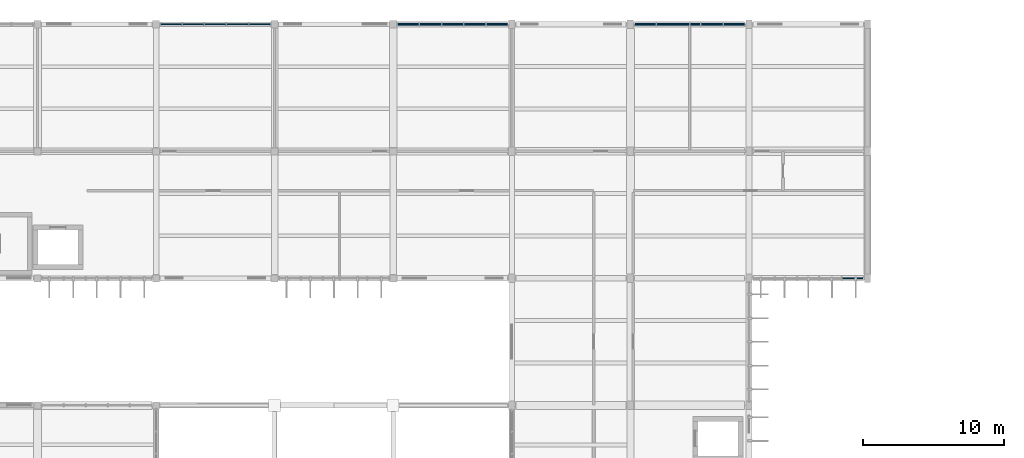
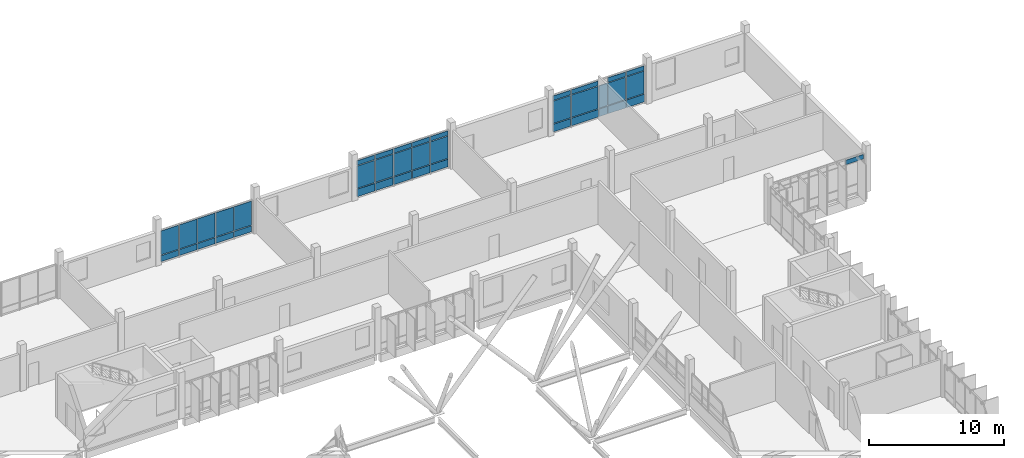
# One storey, part 79 of 107: 40 plates, 4 elements without a shape of their own.
"""IFC4 building model written with IfcOpenShell, lengths in metres."""

from ifc_helpers import new_model, si_unit, direction, frame, origin, origin_2d, place, context, subcontext, project, spatial, rectangle, extrude, material, layer, layer_set, type_object, element, aggregate, save


model = new_model("IFC4")

# Units and contexts
model_context = context("Model", 3, precision=1e-05, world=origin(), true_north=direction((0.0, 1.0)))
body_context = subcontext(model_context, "Body", "Model", "MODEL_VIEW")
ifc_project = project(units=[si_unit("LENGTHUNIT", "METRE"), si_unit("AREAUNIT", "SQUARE_METRE"), si_unit("VOLUMEUNIT", "CUBIC_METRE"), si_unit("PLANEANGLEUNIT", "RADIAN"), si_unit("MASSUNIT", "GRAM", prefix="KILO")], contexts=[model_context])

# Site, building, storey
site_placement = place(None, origin())
site = spatial("IfcSite", under=ifc_project, at=site_placement, CompositionType="ELEMENT")
building_placement = place(site_placement, origin())
building = spatial("IfcBuilding", under=site, at=building_placement, Name="Vireocrest Preparatory School", CompositionType="ELEMENT")
storey_placement = place(building_placement, frame((0.0, 0.0, 13.199951171875)))
storey = spatial("IfcBuildingStorey", under=building, at=storey_placement, Name="L03", CompositionType="ELEMENT", Elevation=13.199951171875)

# Curtain wall, plate
ifc_material_1 = material(Name="Thermally broken aluminium EN AW-6063-T6", Category="aluminium")
ifc_layer_1 = layer(ifc_material_1, 0.179931640625)
ifc_layer_set_1 = layer_set([ifc_layer_1], Name="Thermally broken aluminium EN AW-6063-T6")
curtain_wall_type_1 = type_object("IfcCurtainWallType", Name="Stair Core Daylit Strip 4200x4200", PredefinedType="USERDEFINED", material=ifc_layer_set_1)
curtain_wall_1_placement = place(storey_placement, origin())
curtain_wall_1 = element("IfcCurtainWall", 1, at=curtain_wall_1_placement, inside=storey, type_object=curtain_wall_type_1, Name="Curtain Wall CW18 CW_L03_CW18_1094_0948_132", ObjectType="CURTAIN WALL", PredefinedType="USERDEFINED")
ifc_material_2 = material(Name="Insulated triple low-e tempered safety glass", Category="glass")
ifc_layer_2 = layer(ifc_material_2, 0.074951171875)
ifc_layer_set_2 = layer_set([ifc_layer_2], Name="Insulated triple low-e tempered safety glass")
plate_type_1 = type_object("IfcPlateType", Name="Acoustic Triple-Glazed Lab Curtain Panel 75", PredefinedType="CURTAIN_PANEL", material=ifc_layer_set_2)
plate_1_placement = place(storey_placement, frame((116.552001953125, 94.800048828125, 2.91259765625), z_axis=(0.0, 0.0, 1.0), x_axis=(1.0, 0.0, 0.0)))
plate_1 = element("IfcPlate", 2, at=plate_1_placement, type_object=plate_type_1, Name="CW Panel GL2 CW_L03_CW18_1094_0948_132-5-3", PredefinedType="CURTAIN_PANEL", context=body_context, shape_type="SweptSolid", body=[
    extrude(rectangle(XDim=1.510986328125, YDim=0.074951171875, at=origin_2d()), origin(), (0.0, 0.0, 1.0), 0.409912109375),
])
aggregate(curtain_wall_1, [plate_1])

# Curtain wall, plates
ifc_layer_3 = layer(ifc_material_1, 0.179931640625)
ifc_layer_set_3 = layer_set([ifc_layer_3], Name="Thermally broken aluminium EN AW-6063-T6")
curtain_wall_type_2 = type_object("IfcCurtainWallType", Name="North Street Curtain Wall 8400x4000", PredefinedType="USERDEFINED", material=ifc_layer_set_3)
curtain_wall_2_placement = place(storey_placement, origin())
curtain_wall_2 = element("IfcCurtainWall", 3, at=curtain_wall_2_placement, inside=storey, type_object=curtain_wall_type_2, Name="Curtain Wall CW05 CW_L03_CW05_0674_1128_132", ObjectType="CURTAIN WALL", PredefinedType="USERDEFINED")
plate_2_placement = place(storey_placement, frame((68.26806640625, 112.800048828125, 0.12744140625), z_axis=(0.0, 0.0, 1.0), x_axis=(1.0, 0.0, 0.0)))
plate_2 = element("IfcPlate", 4, at=plate_2_placement, type_object=plate_type_1, Name="CW Panel GL2 CW_L03_CW05_0674_1128_132-1-1", PredefinedType="CURTAIN_PANEL", context=body_context, shape_type="SweptSolid", body=[
    extrude(rectangle(XDim=1.5009765625, YDim=0.074951171875, at=origin_2d()), origin(), (0.0, 0.0, 1.0), 0.5400390625),
])
plate_3_placement = place(storey_placement, frame((68.26806640625, 112.800048828125, 0.732666015625), z_axis=(0.0, 0.0, 1.0), x_axis=(1.0, 0.0, 0.0)))
plate_3 = element("IfcPlate", 5, at=plate_3_placement, type_object=plate_type_1, Name="CW Panel GL2 CW_L03_CW05_0674_1128_132-1-2", PredefinedType="CURTAIN_PANEL", context=body_context, shape_type="SweptSolid", body=[
    extrude(rectangle(XDim=1.5009765625, YDim=0.074951171875, at=origin_2d()), origin(), (0.0, 0.0, 1.0), 2.169921875),
])
plate_4_placement = place(storey_placement, frame((69.833984375, 112.800048828125, 0.12744140625), z_axis=(0.0, 0.0, 1.0), x_axis=(1.0, 0.0, 0.0)))
plate_4 = element("IfcPlate", 6, at=plate_4_placement, type_object=plate_type_1, Name="CW Panel GL2 CW_L03_CW05_0674_1128_132-2-1", PredefinedType="CURTAIN_PANEL", context=body_context, shape_type="SweptSolid", body=[
    extrude(rectangle(XDim=1.5009765625, YDim=0.074951171875, at=origin_2d()), origin(), (0.0, 0.0, 1.0), 0.5400390625),
])
plate_5_placement = place(storey_placement, frame((69.833984375, 112.800048828125, 0.732666015625), z_axis=(0.0, 0.0, 1.0), x_axis=(1.0, 0.0, 0.0)))
plate_5 = element("IfcPlate", 7, at=plate_5_placement, type_object=plate_type_1, Name="CW Panel GL2 CW_L03_CW05_0674_1128_132-2-2", PredefinedType="CURTAIN_PANEL", context=body_context, shape_type="SweptSolid", body=[
    extrude(rectangle(XDim=1.5009765625, YDim=0.074951171875, at=origin_2d()), origin(), (0.0, 0.0, 1.0), 2.169921875),
])
plate_6_placement = place(storey_placement, frame((71.39990234375, 112.800048828125, 0.12744140625), z_axis=(0.0, 0.0, 1.0), x_axis=(1.0, 0.0, 0.0)))
plate_6 = element("IfcPlate", 8, at=plate_6_placement, type_object=plate_type_1, Name="CW Panel GL2 CW_L03_CW05_0674_1128_132-3-1", PredefinedType="CURTAIN_PANEL", context=body_context, shape_type="SweptSolid", body=[
    extrude(rectangle(XDim=1.5009765625, YDim=0.074951171875, at=origin_2d()), origin(), (0.0, 0.0, 1.0), 0.5400390625),
])
plate_7_placement = place(storey_placement, frame((71.39990234375, 112.800048828125, 0.732666015625), z_axis=(0.0, 0.0, 1.0), x_axis=(1.0, 0.0, 0.0)))
plate_7 = element("IfcPlate", 9, at=plate_7_placement, type_object=plate_type_1, Name="CW Panel GL2 CW_L03_CW05_0674_1128_132-3-2", PredefinedType="CURTAIN_PANEL", context=body_context, shape_type="SweptSolid", body=[
    extrude(rectangle(XDim=1.5009765625, YDim=0.074951171875, at=origin_2d()), origin(), (0.0, 0.0, 1.0), 2.169921875),
])
plate_8_placement = place(storey_placement, frame((72.966064453125, 112.800048828125, 0.12744140625), z_axis=(0.0, 0.0, 1.0), x_axis=(1.0, 0.0, 0.0)))
plate_8 = element("IfcPlate", 10, at=plate_8_placement, type_object=plate_type_1, Name="CW Panel GL2 CW_L03_CW05_0674_1128_132-4-1", PredefinedType="CURTAIN_PANEL", context=body_context, shape_type="SweptSolid", body=[
    extrude(rectangle(XDim=1.5009765625, YDim=0.074951171875, at=origin_2d()), origin(), (0.0, 0.0, 1.0), 0.5400390625),
])
plate_9_placement = place(storey_placement, frame((72.966064453125, 112.800048828125, 0.732666015625), z_axis=(0.0, 0.0, 1.0), x_axis=(1.0, 0.0, 0.0)))
plate_9 = element("IfcPlate", 11, at=plate_9_placement, type_object=plate_type_1, Name="CW Panel GL2 CW_L03_CW05_0674_1128_132-4-2", PredefinedType="CURTAIN_PANEL", context=body_context, shape_type="SweptSolid", body=[
    extrude(rectangle(XDim=1.5009765625, YDim=0.074951171875, at=origin_2d()), origin(), (0.0, 0.0, 1.0), 2.169921875),
])
plate_10_placement = place(storey_placement, frame((74.531982421875, 112.800048828125, 0.12744140625), z_axis=(0.0, 0.0, 1.0), x_axis=(1.0, 0.0, 0.0)))
plate_10 = element("IfcPlate", 12, at=plate_10_placement, type_object=plate_type_1, Name="CW Panel GL2 CW_L03_CW05_0674_1128_132-5-1", PredefinedType="CURTAIN_PANEL", context=body_context, shape_type="SweptSolid", body=[
    extrude(rectangle(XDim=1.5009765625, YDim=0.074951171875, at=origin_2d()), origin(), (0.0, 0.0, 1.0), 0.5400390625),
])
plate_11_placement = place(storey_placement, frame((74.531982421875, 112.800048828125, 0.732666015625), z_axis=(0.0, 0.0, 1.0), x_axis=(1.0, 0.0, 0.0)))
plate_11 = element("IfcPlate", 13, at=plate_11_placement, type_object=plate_type_1, Name="CW Panel GL2 CW_L03_CW05_0674_1128_132-5-2", PredefinedType="CURTAIN_PANEL", context=body_context, shape_type="SweptSolid", body=[
    extrude(rectangle(XDim=1.5009765625, YDim=0.074951171875, at=origin_2d()), origin(), (0.0, 0.0, 1.0), 2.169921875),
])
aggregate(curtain_wall_2, [plate_2, plate_3, plate_4, plate_5, plate_6, plate_7, plate_8, plate_9, plate_10, plate_11])

curtain_wall_3_placement = place(storey_placement, origin())
curtain_wall_3 = element("IfcCurtainWall", 14, at=curtain_wall_3_placement, inside=storey, type_object=curtain_wall_type_2, Name="Curtain Wall CW05 CW_L03_CW05_0842_1128_132", ObjectType="CURTAIN WALL", PredefinedType="USERDEFINED")
plate_12_placement = place(storey_placement, frame((85.070556640625, 112.800048828125, 0.8828125), z_axis=(0.0, 0.0, 1.0), x_axis=(1.0, 0.0, 0.0)))
plate_12 = element("IfcPlate", 15, at=plate_12_placement, type_object=plate_type_1, Name="CW Panel GL2 CW_L03_CW05_0842_1128_132-1-2", PredefinedType="CURTAIN_PANEL", context=body_context, shape_type="SweptSolid", body=[
    extrude(rectangle(XDim=1.506103515625, YDim=0.074951171875, at=origin_2d()), origin(), (0.0, 0.0, 1.0), 2.014892578125),
])
plate_13_placement = place(storey_placement, frame((85.070556640625, 112.800048828125, 2.96240234375), z_axis=(0.0, 0.0, 1.0), x_axis=(1.0, 0.0, 0.0)))
plate_13 = element("IfcPlate", 16, at=plate_13_placement, type_object=plate_type_1, Name="CW Panel GL2 CW_L03_CW05_0842_1128_132-1-3", PredefinedType="CURTAIN_PANEL", context=body_context, shape_type="SweptSolid", body=[
    extrude(rectangle(XDim=1.506103515625, YDim=0.074951171875, at=origin_2d()), origin(), (0.0, 0.0, 1.0), 0.409912109375),
])
plate_14_placement = place(storey_placement, frame((86.6416015625, 112.800048828125, 0.8828125), z_axis=(0.0, 0.0, 1.0), x_axis=(1.0, 0.0, 0.0)))
plate_14 = element("IfcPlate", 17, at=plate_14_placement, type_object=plate_type_1, Name="CW Panel GL2 CW_L03_CW05_0842_1128_132-2-2", PredefinedType="CURTAIN_PANEL", context=body_context, shape_type="SweptSolid", body=[
    extrude(rectangle(XDim=1.506103515625, YDim=0.074951171875, at=origin_2d()), origin(), (0.0, 0.0, 1.0), 2.014892578125),
])
plate_15_placement = place(storey_placement, frame((86.6416015625, 112.800048828125, 2.96240234375), z_axis=(0.0, 0.0, 1.0), x_axis=(1.0, 0.0, 0.0)))
plate_15 = element("IfcPlate", 18, at=plate_15_placement, type_object=plate_type_1, Name="CW Panel GL2 CW_L03_CW05_0842_1128_132-2-3", PredefinedType="CURTAIN_PANEL", context=body_context, shape_type="SweptSolid", body=[
    extrude(rectangle(XDim=1.506103515625, YDim=0.074951171875, at=origin_2d()), origin(), (0.0, 0.0, 1.0), 0.409912109375),
])
plate_16_placement = place(storey_placement, frame((88.21240234375, 112.800048828125, 0.8828125), z_axis=(0.0, 0.0, 1.0), x_axis=(1.0, 0.0, 0.0)))
plate_16 = element("IfcPlate", 19, at=plate_16_placement, type_object=plate_type_1, Name="CW Panel GL2 CW_L03_CW05_0842_1128_132-3-2", PredefinedType="CURTAIN_PANEL", context=body_context, shape_type="SweptSolid", body=[
    extrude(rectangle(XDim=1.506103515625, YDim=0.074951171875, at=origin_2d()), origin(), (0.0, 0.0, 1.0), 2.014892578125),
])
plate_17_placement = place(storey_placement, frame((88.21240234375, 112.800048828125, 2.96240234375), z_axis=(0.0, 0.0, 1.0), x_axis=(1.0, 0.0, 0.0)))
plate_17 = element("IfcPlate", 20, at=plate_17_placement, type_object=plate_type_1, Name="CW Panel GL2 CW_L03_CW05_0842_1128_132-3-3", PredefinedType="CURTAIN_PANEL", context=body_context, shape_type="SweptSolid", body=[
    extrude(rectangle(XDim=1.506103515625, YDim=0.074951171875, at=origin_2d()), origin(), (0.0, 0.0, 1.0), 0.409912109375),
])
plate_18_placement = place(storey_placement, frame((89.783447265625, 112.800048828125, 0.8828125), z_axis=(0.0, 0.0, 1.0), x_axis=(1.0, 0.0, 0.0)))
plate_18 = element("IfcPlate", 21, at=plate_18_placement, type_object=plate_type_1, Name="CW Panel GL2 CW_L03_CW05_0842_1128_132-4-2", PredefinedType="CURTAIN_PANEL", context=body_context, shape_type="SweptSolid", body=[
    extrude(rectangle(XDim=1.506103515625, YDim=0.074951171875, at=origin_2d()), origin(), (0.0, 0.0, 1.0), 2.014892578125),
])
plate_19_placement = place(storey_placement, frame((89.783447265625, 112.800048828125, 2.96240234375), z_axis=(0.0, 0.0, 1.0), x_axis=(1.0, 0.0, 0.0)))
plate_19 = element("IfcPlate", 22, at=plate_19_placement, type_object=plate_type_1, Name="CW Panel GL2 CW_L03_CW05_0842_1128_132-4-3", PredefinedType="CURTAIN_PANEL", context=body_context, shape_type="SweptSolid", body=[
    extrude(rectangle(XDim=1.506103515625, YDim=0.074951171875, at=origin_2d()), origin(), (0.0, 0.0, 1.0), 0.409912109375),
])
plate_20_placement = place(storey_placement, frame((91.3544921875, 112.800048828125, 0.8828125), z_axis=(0.0, 0.0, 1.0), x_axis=(1.0, 0.0, 0.0)))
plate_20 = element("IfcPlate", 23, at=plate_20_placement, type_object=plate_type_1, Name="CW Panel GL2 CW_L03_CW05_0842_1128_132-5-2", PredefinedType="CURTAIN_PANEL", context=body_context, shape_type="SweptSolid", body=[
    extrude(rectangle(XDim=1.506103515625, YDim=0.074951171875, at=origin_2d()), origin(), (0.0, 0.0, 1.0), 2.014892578125),
])
plate_21_placement = place(storey_placement, frame((91.3544921875, 112.800048828125, 2.96240234375), z_axis=(0.0, 0.0, 1.0), x_axis=(1.0, 0.0, 0.0)))
plate_21 = element("IfcPlate", 24, at=plate_21_placement, type_object=plate_type_1, Name="CW Panel GL2 CW_L03_CW05_0842_1128_132-5-3", PredefinedType="CURTAIN_PANEL", context=body_context, shape_type="SweptSolid", body=[
    extrude(rectangle(XDim=1.506103515625, YDim=0.074951171875, at=origin_2d()), origin(), (0.0, 0.0, 1.0), 0.409912109375),
])

curtain_wall_4_placement = place(storey_placement, origin())
curtain_wall_4 = element("IfcCurtainWall", 25, at=curtain_wall_4_placement, inside=storey, type_object=curtain_wall_type_2, Name="Curtain Wall CW05 CW_L03_CW05_1010_1128_132", ObjectType="CURTAIN WALL", PredefinedType="USERDEFINED")
plate_22_placement = place(storey_placement, frame((101.847900390625, 112.800048828125, 0.8828125), z_axis=(0.0, 0.0, 1.0), x_axis=(1.0, 0.0, 0.0)))
plate_22 = element("IfcPlate", 26, at=plate_22_placement, type_object=plate_type_1, Name="CW Panel GL2 CW_L03_CW05_1010_1128_132-1-2", PredefinedType="CURTAIN_PANEL", context=body_context, shape_type="SweptSolid", body=[
    extrude(rectangle(XDim=1.510986328125, YDim=0.074951171875, at=origin_2d()), origin(), (0.0, 0.0, 1.0), 2.014892578125),
])
plate_23_placement = place(storey_placement, frame((101.847900390625, 112.800048828125, 2.96240234375), z_axis=(0.0, 0.0, 1.0), x_axis=(1.0, 0.0, 0.0)))
plate_23 = element("IfcPlate", 27, at=plate_23_placement, type_object=plate_type_1, Name="CW Panel GL2 CW_L03_CW05_1010_1128_132-1-3", PredefinedType="CURTAIN_PANEL", context=body_context, shape_type="SweptSolid", body=[
    extrude(rectangle(XDim=1.510986328125, YDim=0.074951171875, at=origin_2d()), origin(), (0.0, 0.0, 1.0), 0.409912109375),
])
plate_24_placement = place(storey_placement, frame((103.818115234375, 112.800048828125, 0.8828125), z_axis=(0.0, 0.0, 1.0), x_axis=(1.0, 0.0, 0.0)))
plate_24 = element("IfcPlate", 28, at=plate_24_placement, type_object=plate_type_1, Name="CW Panel GL2 CW_L03_CW05_1010_1128_132-2-2", PredefinedType="CURTAIN_PANEL", context=body_context, shape_type="SweptSolid", body=[
    extrude(rectangle(XDim=2.299072265625, YDim=0.074951171875, at=origin_2d()), origin(), (0.0, 0.0, 1.0), 2.014892578125),
])
plate_25_placement = place(storey_placement, frame((103.818115234375, 112.800048828125, 2.96240234375), z_axis=(0.0, 0.0, 1.0), x_axis=(1.0, 0.0, 0.0)))
plate_25 = element("IfcPlate", 29, at=plate_25_placement, type_object=plate_type_1, Name="CW Panel GL2 CW_L03_CW05_1010_1128_132-2-3", PredefinedType="CURTAIN_PANEL", context=body_context, shape_type="SweptSolid", body=[
    extrude(rectangle(XDim=2.299072265625, YDim=0.074951171875, at=origin_2d()), origin(), (0.0, 0.0, 1.0), 0.409912109375),
])
plate_26_placement = place(storey_placement, frame((105.39404296875, 112.800048828125, 0.8828125), z_axis=(0.0, 0.0, 1.0), x_axis=(1.0, 0.0, 0.0)))
plate_26 = element("IfcPlate", 30, at=plate_26_placement, type_object=plate_type_1, Name="CW Panel GL2 CW_L03_CW05_1010_1128_132-3-2", PredefinedType="CURTAIN_PANEL", context=body_context, shape_type="SweptSolid", body=[
    extrude(rectangle(XDim=0.722900390625, YDim=0.074951171875, at=origin_2d()), origin(), (0.0, 0.0, 1.0), 2.014892578125),
])
plate_27_placement = place(storey_placement, frame((106.575927734375, 112.800048828125, 0.8828125), z_axis=(0.0, 0.0, 1.0), x_axis=(1.0, 0.0, 0.0)))
plate_27 = element("IfcPlate", 31, at=plate_27_placement, type_object=plate_type_1, Name="CW Panel GL2 CW_L03_CW05_1010_1128_132-4-2", PredefinedType="CURTAIN_PANEL", context=body_context, shape_type="SweptSolid", body=[
    extrude(rectangle(XDim=1.510986328125, YDim=0.074951171875, at=origin_2d()), origin(), (0.0, 0.0, 1.0), 2.014892578125),
])
plate_28_placement = place(storey_placement, frame((106.575927734375, 112.800048828125, 2.96240234375), z_axis=(0.0, 0.0, 1.0), x_axis=(1.0, 0.0, 0.0)))
plate_28 = element("IfcPlate", 32, at=plate_28_placement, type_object=plate_type_1, Name="CW Panel GL2 CW_L03_CW05_1010_1128_132-4-3", PredefinedType="CURTAIN_PANEL", context=body_context, shape_type="SweptSolid", body=[
    extrude(rectangle(XDim=1.510986328125, YDim=0.074951171875, at=origin_2d()), origin(), (0.0, 0.0, 1.0), 0.409912109375),
])
plate_29_placement = place(storey_placement, frame((108.152099609375, 112.800048828125, 0.8828125), z_axis=(0.0, 0.0, 1.0), x_axis=(1.0, 0.0, 0.0)))
plate_29 = element("IfcPlate", 33, at=plate_29_placement, type_object=plate_type_1, Name="CW Panel GL2 CW_L03_CW05_1010_1128_132-5-2", PredefinedType="CURTAIN_PANEL", context=body_context, shape_type="SweptSolid", body=[
    extrude(rectangle(XDim=1.510986328125, YDim=0.074951171875, at=origin_2d()), origin(), (0.0, 0.0, 1.0), 2.014892578125),
])
plate_30_placement = place(storey_placement, frame((108.152099609375, 112.800048828125, 2.96240234375), z_axis=(0.0, 0.0, 1.0), x_axis=(1.0, 0.0, 0.0)))
plate_30 = element("IfcPlate", 34, at=plate_30_placement, type_object=plate_type_1, Name="CW Panel GL2 CW_L03_CW05_1010_1128_132-5-3", PredefinedType="CURTAIN_PANEL", context=body_context, shape_type="SweptSolid", body=[
    extrude(rectangle(XDim=1.510986328125, YDim=0.074951171875, at=origin_2d()), origin(), (0.0, 0.0, 1.0), 0.409912109375),
])

# Plate
ifc_material_3 = material(Name="Painted white aluminium cladding EN AW-6063-T6", Category="aluminium")
ifc_layer_4 = layer(ifc_material_3, 0.114990234375)
ifc_layer_set_4 = layer_set([ifc_layer_4], Name="Painted white aluminium cladding EN AW-6063-T6")
plate_type_2 = type_object("IfcPlateType", Name="Insulated White Spandrel Curtain Panel 115", PredefinedType="CURTAIN_PANEL", material=ifc_layer_set_4)
plate_31_placement = place(storey_placement, frame((85.070556640625, 112.800048828125, 0.127685546875), z_axis=(0.0, 0.0, 1.0), x_axis=(1.0, 0.0, 0.0)))
plate_31 = element("IfcPlate", 35, at=plate_31_placement, type_object=plate_type_2, Name="CW Panel SP2 CW_L03_CW05_0842_1128_132-1-1", PredefinedType="CURTAIN_PANEL", context=body_context, shape_type="SweptSolid", body=[
    extrude(rectangle(XDim=1.506103515625, YDim=0.114990234375, at=origin_2d()), origin(), (0.0, 0.0, 1.0), 0.68994140625),
])

plate_32_placement = place(storey_placement, frame((86.6416015625, 112.800048828125, 0.127685546875), z_axis=(0.0, 0.0, 1.0), x_axis=(1.0, 0.0, 0.0)))
plate_32 = element("IfcPlate", 36, at=plate_32_placement, type_object=plate_type_2, Name="CW Panel SP2 CW_L03_CW05_0842_1128_132-2-1", PredefinedType="CURTAIN_PANEL", context=body_context, shape_type="SweptSolid", body=[
    extrude(rectangle(XDim=1.506103515625, YDim=0.114990234375, at=origin_2d()), origin(), (0.0, 0.0, 1.0), 0.68994140625),
])

plate_33_placement = place(storey_placement, frame((88.21240234375, 112.800048828125, 0.127685546875), z_axis=(0.0, 0.0, 1.0), x_axis=(1.0, 0.0, 0.0)))
plate_33 = element("IfcPlate", 37, at=plate_33_placement, type_object=plate_type_2, Name="CW Panel SP2 CW_L03_CW05_0842_1128_132-3-1", PredefinedType="CURTAIN_PANEL", context=body_context, shape_type="SweptSolid", body=[
    extrude(rectangle(XDim=1.506103515625, YDim=0.114990234375, at=origin_2d()), origin(), (0.0, 0.0, 1.0), 0.68994140625),
])

plate_34_placement = place(storey_placement, frame((89.783447265625, 112.800048828125, 0.127685546875), z_axis=(0.0, 0.0, 1.0), x_axis=(1.0, 0.0, 0.0)))
plate_34 = element("IfcPlate", 38, at=plate_34_placement, type_object=plate_type_2, Name="CW Panel SP2 CW_L03_CW05_0842_1128_132-4-1", PredefinedType="CURTAIN_PANEL", context=body_context, shape_type="SweptSolid", body=[
    extrude(rectangle(XDim=1.506103515625, YDim=0.114990234375, at=origin_2d()), origin(), (0.0, 0.0, 1.0), 0.68994140625),
])

plate_35_placement = place(storey_placement, frame((91.3544921875, 112.800048828125, 0.127685546875), z_axis=(0.0, 0.0, 1.0), x_axis=(1.0, 0.0, 0.0)))
plate_35 = element("IfcPlate", 39, at=plate_35_placement, type_object=plate_type_2, Name="CW Panel SP2 CW_L03_CW05_0842_1128_132-5-1", PredefinedType="CURTAIN_PANEL", context=body_context, shape_type="SweptSolid", body=[
    extrude(rectangle(XDim=1.506103515625, YDim=0.114990234375, at=origin_2d()), origin(), (0.0, 0.0, 1.0), 0.68994140625),
])

aggregate(curtain_wall_3, [plate_31, plate_12, plate_13, plate_32, plate_14, plate_15, plate_33, plate_16, plate_17, plate_34, plate_18, plate_19, plate_35, plate_20, plate_21])

plate_36_placement = place(storey_placement, frame((101.847900390625, 112.800048828125, 0.127685546875), z_axis=(0.0, 0.0, 1.0), x_axis=(1.0, 0.0, 0.0)))
plate_36 = element("IfcPlate", 40, at=plate_36_placement, type_object=plate_type_2, Name="CW Panel SP2 CW_L03_CW05_1010_1128_132-1-1", PredefinedType="CURTAIN_PANEL", context=body_context, shape_type="SweptSolid", body=[
    extrude(rectangle(XDim=1.510986328125, YDim=0.114990234375, at=origin_2d()), origin(), (0.0, 0.0, 1.0), 0.68994140625),
])

plate_37_placement = place(storey_placement, frame((103.818115234375, 112.800048828125, 0.127685546875), z_axis=(0.0, 0.0, 1.0), x_axis=(1.0, 0.0, 0.0)))
plate_37 = element("IfcPlate", 41, at=plate_37_placement, type_object=plate_type_2, Name="CW Panel SP2 CW_L03_CW05_1010_1128_132-2-1", PredefinedType="CURTAIN_PANEL", context=body_context, shape_type="SweptSolid", body=[
    extrude(rectangle(XDim=2.299072265625, YDim=0.114990234375, at=origin_2d()), origin(), (0.0, 0.0, 1.0), 0.68994140625),
])

plate_38_placement = place(storey_placement, frame((105.39404296875, 112.800048828125, 0.127685546875), z_axis=(0.0, 0.0, 1.0), x_axis=(1.0, 0.0, 0.0)))
plate_38 = element("IfcPlate", 42, at=plate_38_placement, type_object=plate_type_2, Name="CW Panel SP2 CW_L03_CW05_1010_1128_132-3-1", PredefinedType="CURTAIN_PANEL", context=body_context, shape_type="SweptSolid", body=[
    extrude(rectangle(XDim=0.722900390625, YDim=0.114990234375, at=origin_2d()), origin(), (0.0, 0.0, 1.0), 0.68994140625),
])

plate_39_placement = place(storey_placement, frame((106.575927734375, 112.800048828125, 0.127685546875), z_axis=(0.0, 0.0, 1.0), x_axis=(1.0, 0.0, 0.0)))
plate_39 = element("IfcPlate", 43, at=plate_39_placement, type_object=plate_type_2, Name="CW Panel SP2 CW_L03_CW05_1010_1128_132-4-1", PredefinedType="CURTAIN_PANEL", context=body_context, shape_type="SweptSolid", body=[
    extrude(rectangle(XDim=1.510986328125, YDim=0.114990234375, at=origin_2d()), origin(), (0.0, 0.0, 1.0), 0.68994140625),
])

plate_40_placement = place(storey_placement, frame((108.152099609375, 112.800048828125, 0.127685546875), z_axis=(0.0, 0.0, 1.0), x_axis=(1.0, 0.0, 0.0)))
plate_40 = element("IfcPlate", 44, at=plate_40_placement, type_object=plate_type_2, Name="CW Panel SP2 CW_L03_CW05_1010_1128_132-5-1", PredefinedType="CURTAIN_PANEL", context=body_context, shape_type="SweptSolid", body=[
    extrude(rectangle(XDim=1.510986328125, YDim=0.114990234375, at=origin_2d()), origin(), (0.0, 0.0, 1.0), 0.68994140625),
])

aggregate(curtain_wall_4, [plate_36, plate_22, plate_23, plate_37, plate_24, plate_25, plate_38, plate_26, plate_39, plate_27, plate_28, plate_40, plate_29, plate_30])

save(model, "model.ifc")
